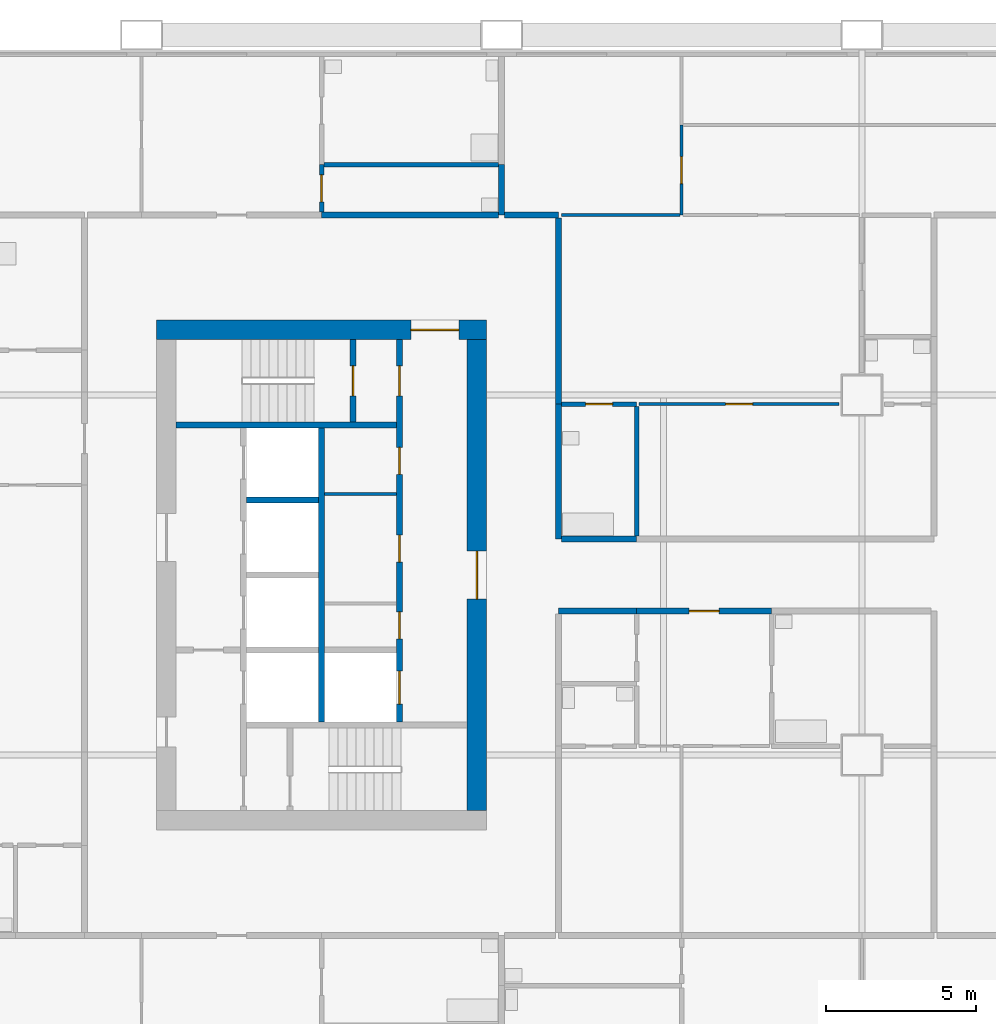
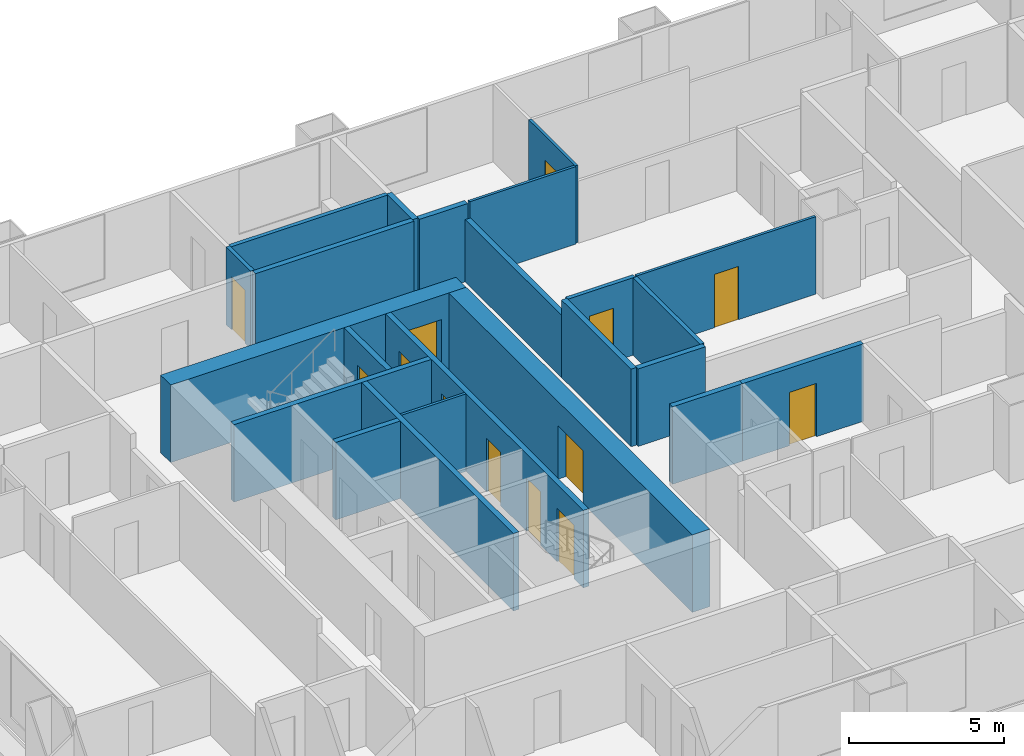
# One storey, part 4 of 11: 23 walls, 13 doors, 13 openings.
"""IFC4 building model written with IfcOpenShell, lengths in metres."""

from ifc_helpers import new_model, si_unit, direction, frame, frame_2d, origin, place, context, subcontext, project, spatial, rectangle, extrude, material, layer, layer_set, type_object, element, fill, save


model = new_model("IFC4")

# Units and contexts
model_context = context("Model", 3, precision=1e-05, world=origin(), true_north=direction((0.0, 1.0)))
body_context = subcontext(model_context, "Body", "Model", "MODEL_VIEW")
ifc_project = project(units=[si_unit("LENGTHUNIT", "METRE"), si_unit("AREAUNIT", "SQUARE_METRE"), si_unit("VOLUMEUNIT", "CUBIC_METRE"), si_unit("PLANEANGLEUNIT", "RADIAN"), si_unit("MASSUNIT", "GRAM", prefix="KILO")], contexts=[model_context])

# Site, building, storey
site_placement = place(None, origin())
site = spatial("IfcSite", under=ifc_project, at=site_placement, CompositionType="ELEMENT")
building_placement = place(site_placement, origin())
building = spatial("IfcBuilding", under=site, at=building_placement, Name="Kitamizu Gate Tower and Museum", CompositionType="ELEMENT")
storey_placement = place(building_placement, frame((0.0, 0.0, 138.0)))
storey = spatial("IfcBuildingStorey", under=building, at=storey_placement, Name="L36", CompositionType="ELEMENT", Elevation=138.0)

# Wall, opening, door
ifc_material_1 = material(Name="Concrete Fc60", Category="concrete")
ifc_layer_1 = layer(ifc_material_1, 0.64990234375)
ifc_layer_set_1 = layer_set([ifc_layer_1], Name="Concrete Fc60")
wall_type_1 = type_object("IfcWallType", Name="Core wall 650", PredefinedType="SHEAR", material=ifc_layer_set_1)
wall_1_placement = place(storey_placement, frame((12.5, 38.175048828125, 0.0), z_axis=(0.0, 0.0, 1.0), x_axis=(1.0, 0.0, 0.0)))
wall_1 = element("IfcWall", 1, at=wall_1_placement, inside=storey, type_object=wall_type_1, Name="Core wall WN", PredefinedType="SHEAR", context=body_context, shape_type="SweptSolid", body=[
    extrude(rectangle(XDim=11.0, YDim=0.64990234375, at=frame_2d((5.5, 0.0))), origin(), (0.0, 0.0, 1.0), 3.050048828125),
])
opening_1_placement = place(wall_1_placement, frame((8.47509765625, 0.0, 0.0)))
opening_1 = element("IfcOpeningElement", 2, at=opening_1_placement, cuts=wall_1, Name="Opening L36-062", PredefinedType="OPENING", context=body_context, shape_type="SweptSolid", body=[
    extrude(rectangle(XDim=1.60009765625, YDim=2.10009765625, at=frame_2d((0.800048828125, 1.050048828125))), frame((0.0, 0.3349609375, 0.0), z_axis=(0.0, -1.0, 0.0), x_axis=(1.0, 0.0, 0.0)), (0.0, 0.0, 1.0), 0.669921875),
])
ifc_material_2 = material(Name="Timber door set", Category="wood")
door_type_1 = type_object("IfcDoorType", Name="Entrance door 1600", OperationType="DOUBLE_DOOR_SINGLE_SWING", PredefinedType="DOOR", material=ifc_material_2)
door_1_placement = place(opening_1_placement, origin())
door_1 = element("IfcDoor", 3, at=door_1_placement, inside=storey, type_object=door_type_1, Name="Lobby door L36-062", OperationType="DOUBLE_DOOR_SINGLE_SWING", OverallHeight=2.10009765625, OverallWidth=1.60009765625, PredefinedType="DOOR", context=body_context, shape_type="SweptSolid", body=[
    extrude(rectangle(XDim=1.60009765625, YDim=2.10009765625, at=frame_2d((0.800048828125, 1.050048828125))), frame((0.0, 0.02490234375, 0.0), z_axis=(0.0, -1.0, 0.0), x_axis=(1.0, 0.0, 0.0)), (0.0, 0.0, 1.0), 0.050048828125),
])
fill(opening_1, door_1)

wall_2_placement = place(storey_placement, frame((23.175048828125, 22.14990234375, 0.0), z_axis=(0.0, 0.0, 1.0), x_axis=(0.0, 1.0, 0.0)))
wall_2 = element("IfcWall", 4, at=wall_2_placement, inside=storey, type_object=wall_type_1, Name="Core wall WARC", PredefinedType="SHEAR", context=body_context, shape_type="SweptSolid", body=[
    extrude(rectangle(XDim=15.7001953125, YDim=0.64990234375, at=frame_2d((7.85009765625, 0.0))), origin(), (0.0, 0.0, 1.0), 3.050048828125),
])
opening_2_placement = place(wall_2_placement, frame((7.050048828125, 0.0, 0.0)))
opening_2 = element("IfcOpeningElement", 5, at=opening_2_placement, cuts=wall_2, Name="Opening L36-063", PredefinedType="OPENING", context=body_context, shape_type="SweptSolid", body=[
    extrude(rectangle(XDim=1.60009765625, YDim=2.10009765625, at=frame_2d((0.800048828125, 1.050048828125))), frame((0.0, 0.3349609375, 0.0), z_axis=(0.0, -1.0, 0.0), x_axis=(1.0, 0.0, 0.0)), (0.0, 0.0, 1.0), 0.669921875),
])
door_2_placement = place(opening_2_placement, origin())
door_2 = element("IfcDoor", 6, at=door_2_placement, inside=storey, type_object=door_type_1, Name="Lobby door L36-063", OperationType="DOUBLE_DOOR_SINGLE_SWING", OverallHeight=2.10009765625, OverallWidth=1.60009765625, PredefinedType="DOOR", context=body_context, shape_type="SweptSolid", body=[
    extrude(rectangle(XDim=1.60009765625, YDim=2.10009765625, at=frame_2d((0.800048828125, 1.050048828125))), frame((0.0, 0.02490234375, 0.0), z_axis=(0.0, -1.0, 0.0), x_axis=(1.0, 0.0, 0.0)), (0.0, 0.0, 1.0), 0.050048828125),
])
fill(opening_2, door_2)

# Wall
ifc_material_3 = material(Name="Gypsum board on galvanised stud")
ifc_layer_2 = layer(ifc_material_3, 0.10009765625)
ifc_layer_set_2 = layer_set([ifc_layer_2], Name="Gypsum board on galvanised stud")
wall_type_2 = type_object("IfcWallType", Name="Partition 100", PredefinedType="PARTITIONING", material=ifc_layer_set_2)
wall_3_placement = place(storey_placement, frame((18.10009765625, 32.7099609375, 0.0), z_axis=(0.0, 0.0, 1.0), x_axis=(1.0, 0.0, 0.0)))
element("IfcWall", 7, at=wall_3_placement, inside=storey, type_object=wall_type_2, Name="Partition WPF2", PredefinedType="PARTITIONING", context=body_context, shape_type="SweptSolid", body=[
    extrude(rectangle(XDim=2.39990234375, YDim=0.10009765625, at=frame_2d((1.199951171875, 0.0))), origin(), (0.0, 0.0, 1.0), 3.050048828125),
])

# Wall, opening, door
ifc_material_4 = material(Name="Gypsum board on galvanised stud")
ifc_layer_3 = layer(ifc_material_4, 0.10009765625)
ifc_layer_set_3 = layer_set([ifc_layer_3], Name="Gypsum board on galvanised stud")
wall_type_3 = type_object("IfcWallType", Name="Partition 100 NOT RATED", PredefinedType="PARTITIONING", material=ifc_layer_set_3)
wall_4_placement = place(storey_placement, frame((30.0, 42.0, 0.0), z_axis=(0.0, 0.0, 1.0), x_axis=(0.0, 1.0, 0.0)))
wall_4 = element("IfcWall", 8, at=wall_4_placement, inside=storey, type_object=wall_type_3, Name="Partition L36-113", PredefinedType="PARTITIONING", context=body_context, shape_type="SweptSolid", body=[
    extrude(rectangle(XDim=3.0, YDim=0.10009765625, at=frame_2d((1.5, 0.0))), origin(), (0.0, 0.0, 1.0), 3.050048828125),
])
opening_3_placement = place(wall_4_placement, frame((1.050048828125, 0.0, 0.0)))
opening_3 = element("IfcOpeningElement", 9, at=opening_3_placement, cuts=wall_4, Name="Opening L36-048", PredefinedType="OPENING", context=body_context, shape_type="SweptSolid", body=[
    extrude(rectangle(XDim=0.89990234375, YDim=2.10009765625, at=frame_2d((0.449951171875, 1.050048828125))), frame((0.0, 0.06005859375, 0.0), z_axis=(0.0, -1.0, 0.0), x_axis=(1.0, 0.0, 0.0)), (0.0, 0.0, 1.0), 0.1201171875),
])
ifc_material_5 = material(Name="Timber door set", Category="wood")
door_type_2 = type_object("IfcDoorType", Name="Room door 900", OperationType="NOTDEFINED", PredefinedType="DOOR", material=ifc_material_5)
door_3_placement = place(opening_3_placement, origin())
door_3 = element("IfcDoor", 10, at=door_3_placement, inside=storey, type_object=door_type_2, Name="Door L36-048", OperationType="SINGLE_SWING_RIGHT", OverallHeight=2.10009765625, OverallWidth=0.89990234375, PredefinedType="DOOR", context=body_context, shape_type="SweptSolid", body=[
    extrude(rectangle(XDim=0.89990234375, YDim=2.10009765625, at=frame_2d((0.449951171875, 1.050048828125))), frame((0.0, 0.02490234375, 0.0), z_axis=(0.0, -1.0, 0.0), x_axis=(1.0, 0.0, 0.0)), (0.0, 0.0, 1.0), 0.050048828125),
])
fill(opening_3, door_3)

# Wall
wall_5_placement = place(storey_placement, frame((26.0, 42.0, 0.0), z_axis=(0.0, 0.0, 1.0), x_axis=(1.0, 0.0, 0.0)))
element("IfcWall", 11, at=wall_5_placement, inside=storey, type_object=wall_type_3, Name="Partition L36-115", PredefinedType="PARTITIONING", context=body_context, shape_type="SweptSolid", body=[
    extrude(rectangle(XDim=3.949951171875, YDim=0.10009765625, at=frame_2d((1.97509765625, 0.0))), origin(), (0.0, 0.0, 1.0), 3.050048828125),
])

# Wall, opening, door
wall_6_placement = place(storey_placement, frame((28.574951171875, 35.699951171875, 0.0), z_axis=(0.0, 0.0, 1.0), x_axis=(1.0, 0.0, 0.0)))
wall_6 = element("IfcWall", 12, at=wall_6_placement, inside=storey, type_object=wall_type_3, Name="Partition L36-134", PredefinedType="PARTITIONING", context=body_context, shape_type="SweptSolid", body=[
    extrude(rectangle(XDim=6.675048828125, YDim=0.10009765625, at=frame_2d((3.33740234375, 0.0))), origin(), (0.0, 0.0, 1.0), 3.050048828125),
])
opening_4_placement = place(wall_6_placement, frame((2.887451171875, 0.0, 0.0)))
opening_4 = element("IfcOpeningElement", 13, at=opening_4_placement, cuts=wall_6, Name="Opening L36-052", PredefinedType="OPENING", context=body_context, shape_type="SweptSolid", body=[
    extrude(rectangle(XDim=0.89990234375, YDim=2.10009765625, at=frame_2d((0.449951171875, 1.050048828125))), frame((0.0, 0.06005859375, 0.0), z_axis=(0.0, -1.0, 0.0), x_axis=(1.0, 0.0, 0.0)), (0.0, 0.0, 1.0), 0.1201171875),
])
door_4_placement = place(opening_4_placement, frame((0.89990234375, 0.0, 0.0), x_axis=(-1.0, 0.0, 0.0)))
door_4 = element("IfcDoor", 14, at=door_4_placement, inside=storey, type_object=door_type_2, Name="Door L36-052", OperationType="SINGLE_SWING_RIGHT", OverallHeight=2.10009765625, OverallWidth=0.89990234375, PredefinedType="DOOR", context=body_context, shape_type="SweptSolid", body=[
    extrude(rectangle(XDim=0.89990234375, YDim=2.10009765625, at=frame_2d((0.449951171875, 1.050048828125))), frame((0.0, 0.02490234375, 0.0), z_axis=(0.0, -1.0, 0.0), x_axis=(1.0, 0.0, 0.0)), (0.0, 0.0, 1.0), 0.050048828125),
])
fill(opening_4, door_4)

ifc_material_6 = material(Name="Gypsum board on galvanised stud")
ifc_layer_4 = layer(ifc_material_6, 0.14990234375)
ifc_layer_set_4 = layer_set([ifc_layer_4], Name="Gypsum board on galvanised stud")
wall_type_4 = type_object("IfcWallType", Name="Partition 150", PredefinedType="PARTITIONING", material=ifc_layer_set_4)
wall_7_placement = place(storey_placement, frame((18.0, 42.10009765625, 0.0), z_axis=(0.0, 0.0, 1.0), x_axis=(0.0, 1.0, 0.0)))
wall_7 = element("IfcWall", 15, at=wall_7_placement, inside=storey, type_object=wall_type_4, Name="Partition L36-107", PredefinedType="PARTITIONING", context=body_context, shape_type="SweptSolid", body=[
    extrude(rectangle(XDim=1.579833984375, YDim=0.14990234375, at=frame_2d((0.7900390625, 0.0))), origin(), (0.0, 0.0, 1.0), 3.050048828125),
])
opening_5_placement = place(wall_7_placement, frame((0.340087890625, 0.0, 0.0)))
opening_5 = element("IfcOpeningElement", 16, at=opening_5_placement, cuts=wall_7, Name="Opening L36-041", PredefinedType="OPENING", context=body_context, shape_type="SweptSolid", body=[
    extrude(rectangle(XDim=0.89990234375, YDim=2.10009765625, at=frame_2d((0.449951171875, 1.050048828125))), frame((0.0, 0.0849609375, 0.0), z_axis=(0.0, -1.0, 0.0), x_axis=(1.0, 0.0, 0.0)), (0.0, 0.0, 1.0), 0.169921875),
])
ifc_material_7 = material(Name="Timber door set", Category="wood")
door_type_3 = type_object("IfcDoorType", Name="Bathroom door 900", OperationType="NOTDEFINED", PredefinedType="DOOR", material=ifc_material_7)
door_5_placement = place(opening_5_placement, frame((0.89990234375, 0.0, 0.0), x_axis=(-1.0, 0.0, 0.0)))
door_5 = element("IfcDoor", 17, at=door_5_placement, inside=storey, type_object=door_type_3, Name="Bathroom door L36-041", OperationType="SINGLE_SWING_LEFT", OverallHeight=2.10009765625, OverallWidth=0.89990234375, PredefinedType="DOOR", context=body_context, shape_type="SweptSolid", body=[
    extrude(rectangle(XDim=0.89990234375, YDim=2.10009765625, at=frame_2d((0.449951171875, 1.050048828125))), frame((0.0, 0.02490234375, 0.0), z_axis=(0.0, -1.0, 0.0), x_axis=(1.0, 0.0, 0.0)), (0.0, 0.0, 1.0), 0.050048828125),
])
fill(opening_5, door_5)

# Wall
wall_8_placement = place(storey_placement, frame((18.074951171875, 43.679931640625, 0.0), z_axis=(0.0, 0.0, 1.0), x_axis=(1.0, 0.0, 0.0)))
element("IfcWall", 18, at=wall_8_placement, inside=storey, type_object=wall_type_4, Name="Partition L36-109", PredefinedType="PARTITIONING", context=body_context, shape_type="SweptSolid", body=[
    extrude(rectangle(XDim=5.824951171875, YDim=0.14990234375, at=frame_2d((2.91259765625, 0.0))), origin(), (0.0, 0.0, 1.0), 3.050048828125),
])

# Wall, opening, door
wall_9_placement = place(storey_placement, frame((26.0, 35.699951171875, 0.0), z_axis=(0.0, 0.0, 1.0), x_axis=(1.0, 0.0, 0.0)))
wall_9 = element("IfcWall", 19, at=wall_9_placement, inside=storey, type_object=wall_type_4, Name="Partition L36-133", PredefinedType="PARTITIONING", context=body_context, shape_type="SweptSolid", body=[
    extrude(rectangle(XDim=2.5, YDim=0.14990234375, at=frame_2d((1.25, 0.0))), origin(), (0.0, 0.0, 1.0), 3.050048828125),
])
opening_6_placement = place(wall_9_placement, frame((0.800048828125, 0.0, 0.0)))
opening_6 = element("IfcOpeningElement", 20, at=opening_6_placement, cuts=wall_9, Name="Opening L36-051", PredefinedType="OPENING", context=body_context, shape_type="SweptSolid", body=[
    extrude(rectangle(XDim=0.89990234375, YDim=2.10009765625, at=frame_2d((0.449951171875, 1.050048828125))), frame((0.0, 0.0849609375, 0.0), z_axis=(0.0, -1.0, 0.0), x_axis=(1.0, 0.0, 0.0)), (0.0, 0.0, 1.0), 0.169921875),
])
door_6_placement = place(opening_6_placement, frame((0.89990234375, 0.0, 0.0), x_axis=(-1.0, 0.0, 0.0)))
door_6 = element("IfcDoor", 21, at=door_6_placement, inside=storey, type_object=door_type_3, Name="Bathroom door L36-051", OperationType="SINGLE_SWING_LEFT", OverallHeight=2.10009765625, OverallWidth=0.89990234375, PredefinedType="DOOR", context=body_context, shape_type="SweptSolid", body=[
    extrude(rectangle(XDim=0.89990234375, YDim=2.10009765625, at=frame_2d((0.449951171875, 1.050048828125))), frame((0.0, 0.02490234375, 0.0), z_axis=(0.0, -1.0, 0.0), x_axis=(1.0, 0.0, 0.0)), (0.0, 0.0, 1.0), 0.050048828125),
])
fill(opening_6, door_6)

# Walls
wall_10_placement = place(storey_placement, frame((28.5, 31.300048828125, 0.0), z_axis=(0.0, 0.0, 1.0), x_axis=(0.0, 1.0, 0.0)))
element("IfcWall", 22, at=wall_10_placement, inside=storey, type_object=wall_type_4, Name="Partition L36-141", PredefinedType="PARTITIONING", context=body_context, shape_type="SweptSolid", body=[
    extrude(rectangle(XDim=4.324951171875, YDim=0.14990234375, at=frame_2d((2.16259765625, 0.0))), origin(), (0.0, 0.0, 1.0), 3.050048828125),
])
ifc_material_8 = material(Name="Gypsum board on galvanised stud")
ifc_layer_5 = layer(ifc_material_8, 0.199951171875)
ifc_layer_set_5 = layer_set([ifc_layer_5], Name="Gypsum board on galvanised stud")
wall_type_5 = type_object("IfcWallType", Name="Partition 200", PredefinedType="PARTITIONING", material=ifc_layer_set_5)
wall_11_placement = place(storey_placement, frame((28.5, 28.800048828125, 0.0), z_axis=(0.0, 0.0, 1.0), x_axis=(-1.0, 0.0, 0.0)))
element("IfcWall", 23, at=wall_11_placement, inside=storey, type_object=wall_type_5, Name="Partition L36-049", PredefinedType="PARTITIONING", context=body_context, shape_type="SweptSolid", body=[
    extrude(rectangle(XDim=2.60009765625, YDim=0.199951171875, at=frame_2d((1.300048828125, 0.0))), origin(), (0.0, 0.0, 1.0), 3.050048828125),
])

# Wall, opening, door
wall_12_placement = place(storey_placement, frame((33.0, 28.800048828125, 0.0), z_axis=(0.0, 0.0, 1.0), x_axis=(-1.0, 0.0, 0.0)))
wall_12 = element("IfcWall", 24, at=wall_12_placement, inside=storey, type_object=wall_type_5, Name="Partition L36-052", PredefinedType="PARTITIONING", context=body_context, shape_type="SweptSolid", body=[
    extrude(rectangle(XDim=4.5, YDim=0.199951171875, at=frame_2d((2.25, 0.0))), origin(), (0.0, 0.0, 1.0), 3.050048828125),
])
opening_7_placement = place(wall_12_placement, frame((1.75, 0.0, 0.0)))
opening_7 = element("IfcOpeningElement", 25, at=opening_7_placement, cuts=wall_12, Name="Opening L36-013", PredefinedType="OPENING", context=body_context, shape_type="SweptSolid", body=[
    extrude(rectangle(XDim=1.0, YDim=2.10009765625, at=frame_2d((0.5, 1.050048828125))), frame((0.0, 0.10986328125, 0.0), z_axis=(0.0, -1.0, 0.0), x_axis=(1.0, 0.0, 0.0)), (0.0, 0.0, 1.0), 0.219970703125),
])
ifc_material_9 = material(Name="Timber door set", Category="wood")
door_type_4 = type_object("IfcDoorType", Name="Flat entrance door 1000", OperationType="NOTDEFINED", PredefinedType="DOOR", material=ifc_material_9)
door_7_placement = place(opening_7_placement, origin())
door_7 = element("IfcDoor", 26, at=door_7_placement, inside=storey, type_object=door_type_4, Name="Flat entrance door L36-013", OperationType="SINGLE_SWING_LEFT", OverallHeight=2.10009765625, OverallWidth=1.0, PredefinedType="DOOR", context=body_context, shape_type="SweptSolid", body=[
    extrude(rectangle(XDim=1.0, YDim=2.10009765625, at=frame_2d((0.5, 1.050048828125))), frame((0.0, 0.02490234375, 0.0), z_axis=(0.0, -1.0, 0.0), x_axis=(1.0, 0.0, 0.0)), (0.0, 0.0, 1.0), 0.050048828125),
])
fill(opening_7, door_7)

# Walls
wall_13_placement = place(storey_placement, frame((24.0, 42.0, 0.0), z_axis=(0.0, 0.0, 1.0), x_axis=(0.0, 1.0, 0.0)))
element("IfcWall", 27, at=wall_13_placement, inside=storey, type_object=wall_type_5, Name="Partition L36-111", PredefinedType="PARTITIONING", context=body_context, shape_type="SweptSolid", body=[
    extrude(rectangle(XDim=1.679931640625, YDim=0.199951171875, at=frame_2d((0.83984375, 0.0))), origin(), (0.0, 0.0, 1.0), 3.050048828125),
])
wall_14_placement = place(storey_placement, frame((18.0, 42.0, 0.0), z_axis=(0.0, 0.0, 1.0), x_axis=(1.0, 0.0, 0.0)))
element("IfcWall", 28, at=wall_14_placement, inside=storey, type_object=wall_type_5, Name="Partition L36-112", PredefinedType="PARTITIONING", context=body_context, shape_type="SweptSolid", body=[
    extrude(rectangle(XDim=5.89990234375, YDim=0.199951171875, at=frame_2d((2.949951171875, 0.0))), origin(), (0.0, 0.0, 1.0), 3.050048828125),
])
wall_15_placement = place(storey_placement, frame((24.10009765625, 42.0, 0.0), z_axis=(0.0, 0.0, 1.0), x_axis=(1.0, 0.0, 0.0)))
element("IfcWall", 29, at=wall_15_placement, inside=storey, type_object=wall_type_5, Name="Partition L36-116", PredefinedType="PARTITIONING", context=body_context, shape_type="SweptSolid", body=[
    extrude(rectangle(XDim=1.7998046875, YDim=0.199951171875, at=frame_2d((0.89990234375, 0.0))), origin(), (0.0, 0.0, 1.0), 3.050048828125),
])
wall_16_placement = place(storey_placement, frame((25.89990234375, 41.89990234375, 0.0), z_axis=(0.0, 0.0, 1.0), x_axis=(0.0, -1.0, 0.0)))
element("IfcWall", 30, at=wall_16_placement, inside=storey, type_object=wall_type_5, Name="Partition L36-135", PredefinedType="PARTITIONING", context=body_context, shape_type="SweptSolid", body=[
    extrude(rectangle(XDim=6.199951171875, YDim=0.199951171875, at=frame_2d((3.10009765625, 0.0))), origin(), (0.0, 0.0, 1.0), 2.449951171875),
])
wall_17_placement = place(storey_placement, frame((25.89990234375, 35.699951171875, 0.0), z_axis=(0.0, 0.0, 1.0), x_axis=(0.0, -1.0, 0.0)))
element("IfcWall", 31, at=wall_17_placement, inside=storey, type_object=wall_type_5, Name="Partition L36-142", PredefinedType="PARTITIONING", context=body_context, shape_type="SweptSolid", body=[
    extrude(rectangle(XDim=4.5, YDim=0.199951171875, at=frame_2d((2.25, 0.0))), origin(), (0.0, 0.0, 1.0), 3.050048828125),
])
wall_18_placement = place(storey_placement, frame((26.0, 31.199951171875, 0.0), z_axis=(0.0, 0.0, 1.0), x_axis=(1.0, 0.0, 0.0)))
element("IfcWall", 32, at=wall_18_placement, inside=storey, type_object=wall_type_5, Name="Partition L36-143", PredefinedType="PARTITIONING", context=body_context, shape_type="SweptSolid", body=[
    extrude(rectangle(XDim=2.5, YDim=0.199951171875, at=frame_2d((1.25, 0.0))), origin(), (0.0, 0.0, 1.0), 3.050048828125),
])

# Wall, openings, doors
ifc_material_10 = material(Name="Concrete Fc42", Category="concrete")
ifc_layer_6 = layer(ifc_material_10, 0.199951171875)
ifc_layer_set_6 = layer_set([ifc_layer_6], Name="Concrete Fc42")
wall_type_6 = type_object("IfcWallType", Name="Shaft wall 200", PredefinedType="SOLIDWALL", material=ifc_layer_set_6)
wall_19_placement = place(storey_placement, frame((20.60009765625, 25.10009765625, 0.0), z_axis=(0.0, 0.0, 1.0), x_axis=(0.0, 1.0, 0.0)))
wall_19 = element("IfcWall", 33, at=wall_19_placement, inside=storey, type_object=wall_type_6, Name="Shaft wall WEAST", PredefinedType="SOLIDWALL", context=body_context, shape_type="SweptSolid", body=[
    extrude(rectangle(XDim=12.75, YDim=0.199951171875, at=frame_2d((6.375, 0.0))), origin(), (0.0, 0.0, 1.0), 3.050048828125),
])
opening_8_placement = place(wall_19_placement, frame((0.60009765625, 0.0, 0.0)))
opening_8 = element("IfcOpeningElement", 34, at=opening_8_placement, cuts=wall_19, Name="Opening LD", PredefinedType="OPENING", context=body_context, shape_type="SweptSolid", body=[
    extrude(rectangle(XDim=1.10009765625, YDim=2.10009765625, at=frame_2d((0.550048828125, 1.050048828125))), frame((0.0, 0.10986328125, 0.0), z_axis=(0.0, -1.0, 0.0), x_axis=(1.0, 0.0, 0.0)), (0.0, 0.0, 1.0), 0.219970703125),
])
opening_9_placement = place(wall_19_placement, frame((10.875, 0.0, 0.0)))
opening_9 = element("IfcOpeningElement", 35, at=opening_9_placement, cuts=wall_19, Name="Opening L36-057", PredefinedType="OPENING", context=body_context, shape_type="SweptSolid", body=[
    extrude(rectangle(XDim=1.0, YDim=2.10009765625, at=frame_2d((0.5, 1.050048828125))), frame((0.0, 0.10986328125, 0.0), z_axis=(0.0, -1.0, 0.0), x_axis=(1.0, 0.0, 0.0)), (0.0, 0.0, 1.0), 0.219970703125),
])
opening_10_placement = place(wall_19_placement, frame((2.780029296875, 0.0, 0.0)))
opening_10 = element("IfcOpeningElement", 36, at=opening_10_placement, cuts=wall_19, Name="Opening L36-064", PredefinedType="OPENING", context=body_context, shape_type="SweptSolid", body=[
    extrude(rectangle(XDim=0.89990234375, YDim=2.10009765625, at=frame_2d((0.449951171875, 1.050048828125))), frame((0.0, 0.10986328125, 0.0), z_axis=(0.0, -1.0, 0.0), x_axis=(1.0, 0.0, 0.0)), (0.0, 0.0, 1.0), 0.219970703125),
])
opening_11_placement = place(wall_19_placement, frame((5.3349609375, 0.0, 0.0)))
opening_11 = element("IfcOpeningElement", 37, at=opening_11_placement, cuts=wall_19, Name="Opening L36-065", PredefinedType="OPENING", context=body_context, shape_type="SweptSolid", body=[
    extrude(rectangle(XDim=0.89990234375, YDim=2.10009765625, at=frame_2d((0.449951171875, 1.050048828125))), frame((0.0, 0.10986328125, 0.0), z_axis=(0.0, -1.0, 0.0), x_axis=(1.0, 0.0, 0.0)), (0.0, 0.0, 1.0), 0.219970703125),
])
opening_12_placement = place(wall_19_placement, frame((8.2548828125, 0.0, 0.0)))
opening_12 = element("IfcOpeningElement", 38, at=opening_12_placement, cuts=wall_19, Name="Opening L36-066", PredefinedType="OPENING", context=body_context, shape_type="SweptSolid", body=[
    extrude(rectangle(XDim=0.89990234375, YDim=2.10009765625, at=frame_2d((0.449951171875, 1.050048828125))), frame((0.0, 0.10986328125, 0.0), z_axis=(0.0, -1.0, 0.0), x_axis=(1.0, 0.0, 0.0)), (0.0, 0.0, 1.0), 0.219970703125),
])
ifc_material_11 = material(Name="Hollow metal door set")
door_type_5 = type_object("IfcDoorType", Name="Fire door 1000", OperationType="NOTDEFINED", PredefinedType="DOOR", material=ifc_material_11)
door_8_placement = place(opening_9_placement, origin())
door_8 = element("IfcDoor", 39, at=door_8_placement, inside=storey, type_object=door_type_5, Name="Stair lobby door L36-057", OperationType="SINGLE_SWING_RIGHT", OverallHeight=2.10009765625, OverallWidth=1.0, PredefinedType="DOOR", context=body_context, shape_type="SweptSolid", body=[
    extrude(rectangle(XDim=1.0, YDim=2.10009765625, at=frame_2d((0.5, 1.050048828125))), frame((0.0, 0.02490234375, 0.0), z_axis=(0.0, -1.0, 0.0), x_axis=(1.0, 0.0, 0.0)), (0.0, 0.0, 1.0), 0.050048828125),
])
fill(opening_9, door_8)
ifc_material_12 = material(Name="Hollow metal door set")
door_type_6 = type_object("IfcDoorType", Name="Landing door 1100", OperationType="SLIDING_TO_LEFT", PredefinedType="DOOR", material=ifc_material_12)
door_9_placement = place(opening_8_placement, origin())
door_9 = element("IfcDoor", 40, at=door_9_placement, inside=storey, type_object=door_type_6, Name="Landing door WSV1", OperationType="SLIDING_TO_LEFT", OverallHeight=2.10009765625, OverallWidth=1.10009765625, PredefinedType="DOOR", context=body_context, shape_type="SweptSolid", body=[
    extrude(rectangle(XDim=1.10009765625, YDim=2.10009765625, at=frame_2d((0.550048828125, 1.050048828125))), frame((0.0, 0.02490234375, 0.0), z_axis=(0.0, -1.0, 0.0), x_axis=(1.0, 0.0, 0.0)), (0.0, 0.0, 1.0), 0.050048828125),
])
fill(opening_8, door_9)
ifc_material_13 = material(Name="Timber door set", Category="wood")
door_type_7 = type_object("IfcDoorType", Name="Service door 900", OperationType="NOTDEFINED", PredefinedType="DOOR", material=ifc_material_13)
door_10_placement = place(opening_10_placement, origin())
door_10 = element("IfcDoor", 41, at=door_10_placement, inside=storey, type_object=door_type_7, Name="Service door L36-064", OperationType="SINGLE_SWING_RIGHT", OverallHeight=2.10009765625, OverallWidth=0.89990234375, PredefinedType="DOOR", context=body_context, shape_type="SweptSolid", body=[
    extrude(rectangle(XDim=0.89990234375, YDim=2.10009765625, at=frame_2d((0.449951171875, 1.050048828125))), frame((0.0, 0.02490234375, 0.0), z_axis=(0.0, -1.0, 0.0), x_axis=(1.0, 0.0, 0.0)), (0.0, 0.0, 1.0), 0.050048828125),
])
fill(opening_10, door_10)
door_11_placement = place(opening_11_placement, origin())
door_11 = element("IfcDoor", 42, at=door_11_placement, inside=storey, type_object=door_type_7, Name="Service door L36-065", OperationType="SINGLE_SWING_LEFT", OverallHeight=2.10009765625, OverallWidth=0.89990234375, PredefinedType="DOOR", context=body_context, shape_type="SweptSolid", body=[
    extrude(rectangle(XDim=0.89990234375, YDim=2.10009765625, at=frame_2d((0.449951171875, 1.050048828125))), frame((0.0, 0.02490234375, 0.0), z_axis=(0.0, -1.0, 0.0), x_axis=(1.0, 0.0, 0.0)), (0.0, 0.0, 1.0), 0.050048828125),
])
fill(opening_11, door_11)
door_12_placement = place(opening_12_placement, origin())
door_12 = element("IfcDoor", 43, at=door_12_placement, inside=storey, type_object=door_type_7, Name="Service door L36-066", OperationType="SINGLE_SWING_RIGHT", OverallHeight=2.10009765625, OverallWidth=0.89990234375, PredefinedType="DOOR", context=body_context, shape_type="SweptSolid", body=[
    extrude(rectangle(XDim=0.89990234375, YDim=2.10009765625, at=frame_2d((0.449951171875, 1.050048828125))), frame((0.0, 0.02490234375, 0.0), z_axis=(0.0, -1.0, 0.0), x_axis=(1.0, 0.0, 0.0)), (0.0, 0.0, 1.0), 0.050048828125),
])
fill(opening_12, door_12)

# Walls
wall_20_placement = place(storey_placement, frame((18.0, 25.10009765625, 0.0), z_axis=(0.0, 0.0, 1.0), x_axis=(0.0, 1.0, 0.0)))
element("IfcWall", 44, at=wall_20_placement, inside=storey, type_object=wall_type_6, Name="Shaft wall WMID", PredefinedType="SOLIDWALL", context=body_context, shape_type="SweptSolid", body=[
    extrude(rectangle(XDim=9.7998046875, YDim=0.199951171875, at=frame_2d((4.89990234375, 0.0))), origin(), (0.0, 0.0, 1.0), 3.050048828125),
])
wall_21_placement = place(storey_placement, frame((13.14990234375, 35.0, 0.0), z_axis=(0.0, 0.0, 1.0), x_axis=(1.0, 0.0, 0.0)))
element("IfcWall", 45, at=wall_21_placement, inside=storey, type_object=wall_type_6, Name="Shaft wall WNB", PredefinedType="SOLIDWALL", context=body_context, shape_type="SweptSolid", body=[
    extrude(rectangle(XDim=7.35009765625, YDim=0.199951171875, at=frame_2d((3.675048828125, 0.0))), origin(), (0.0, 0.0, 1.0), 3.050048828125),
])

# Wall, opening, door
wall_22_placement = place(storey_placement, frame((19.050048828125, 35.10009765625, 0.0), z_axis=(0.0, 0.0, 1.0), x_axis=(0.0, 1.0, 0.0)))
wall_22 = element("IfcWall", 46, at=wall_22_placement, inside=storey, type_object=wall_type_6, Name="Shaft wall WNZ", PredefinedType="SOLIDWALL", context=body_context, shape_type="SweptSolid", body=[
    extrude(rectangle(XDim=2.75, YDim=0.199951171875, at=frame_2d((1.375, 0.0))), origin(), (0.0, 0.0, 1.0), 3.050048828125),
])
opening_13_placement = place(wall_22_placement, frame((0.875, 0.0, 0.0)))
opening_13 = element("IfcOpeningElement", 47, at=opening_13_placement, cuts=wall_22, Name="Opening L36-058", PredefinedType="OPENING", context=body_context, shape_type="SweptSolid", body=[
    extrude(rectangle(XDim=1.0, YDim=2.10009765625, at=frame_2d((0.5, 1.050048828125))), frame((0.0, 0.10986328125, 0.0), z_axis=(0.0, -1.0, 0.0), x_axis=(1.0, 0.0, 0.0)), (0.0, 0.0, 1.0), 0.219970703125),
])
door_13_placement = place(opening_13_placement, origin())
door_13 = element("IfcDoor", 48, at=door_13_placement, inside=storey, type_object=door_type_5, Name="Stair door L36-058", OperationType="SINGLE_SWING_LEFT", OverallHeight=2.10009765625, OverallWidth=1.0, PredefinedType="DOOR", context=body_context, shape_type="SweptSolid", body=[
    extrude(rectangle(XDim=1.0, YDim=2.10009765625, at=frame_2d((0.5, 1.050048828125))), frame((0.0, 0.02490234375, 0.0), z_axis=(0.0, -1.0, 0.0), x_axis=(1.0, 0.0, 0.0)), (0.0, 0.0, 1.0), 0.050048828125),
])
fill(opening_13, door_13)

# Wall
wall_23_placement = place(storey_placement, frame((15.5, 32.5, 0.0), z_axis=(0.0, 0.0, 1.0), x_axis=(1.0, 0.0, 0.0)))
element("IfcWall", 49, at=wall_23_placement, inside=storey, type_object=wall_type_6, Name="Shaft wall WDVW2", PredefinedType="SOLIDWALL", context=body_context, shape_type="SweptSolid", body=[
    extrude(rectangle(XDim=2.39990234375, YDim=0.199951171875, at=frame_2d((1.199951171875, 0.0))), origin(), (0.0, 0.0, 1.0), 3.050048828125),
])

save(model, "model.ifc")
